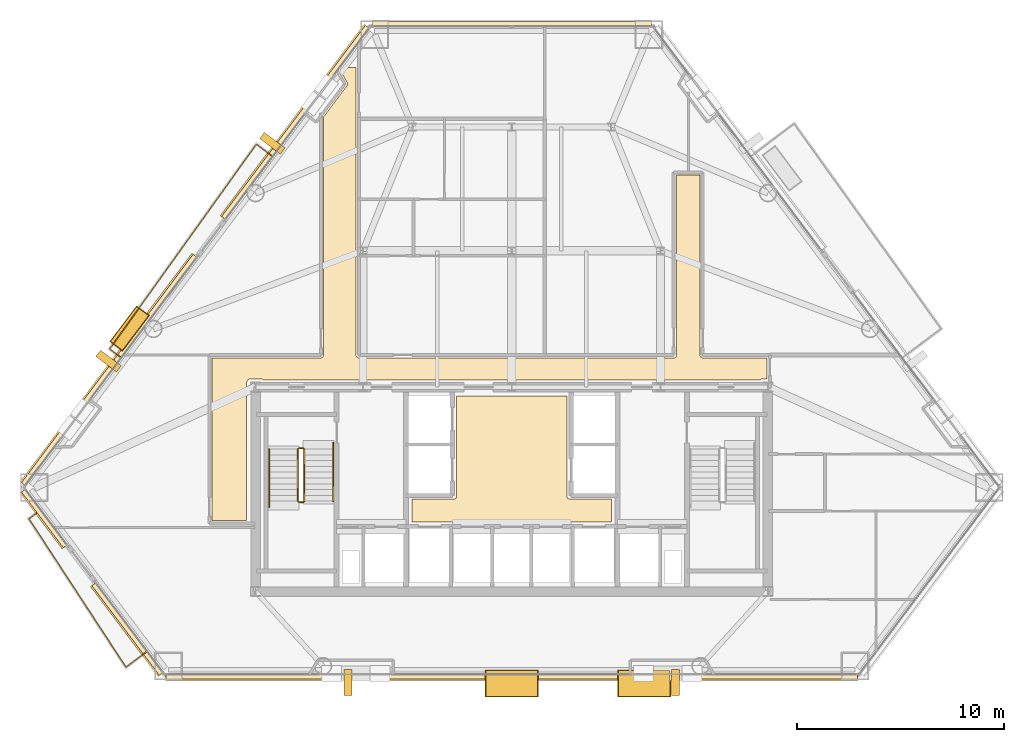
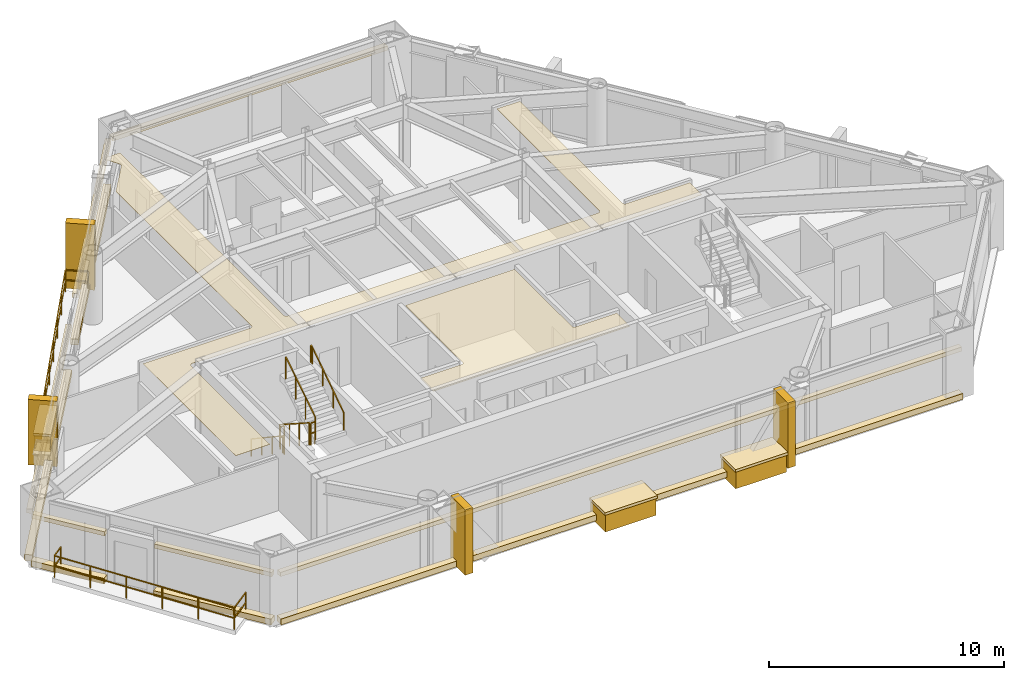
# One storey, part 9 of 10: 23 coverings, 8 railings.
"""IFC4 building model written with IfcOpenShell, lengths in metres."""

from ifc_helpers import new_model, si_unit, direction, frame, origin, origin_2d, place, context, subcontext, project, spatial, polyline, rectangle, outline, extrude, material, layer, layer_set, type_object, element, save


model = new_model("IFC4")

# Units and contexts
model_context = context("Model", 3, precision=1e-05, world=origin(), true_north=direction((0.0, 1.0)))
body_context = subcontext(model_context, "Body", "Model", "MODEL_VIEW")
ifc_project = project(units=[si_unit("LENGTHUNIT", "METRE"), si_unit("AREAUNIT", "SQUARE_METRE"), si_unit("VOLUMEUNIT", "CUBIC_METRE"), si_unit("PLANEANGLEUNIT", "RADIAN"), si_unit("MASSUNIT", "GRAM", prefix="KILO")], contexts=[model_context])

# Site, building, storey
site_placement = place(None, origin())
site = spatial("IfcSite", under=ifc_project, at=site_placement, CompositionType="ELEMENT")
building_placement = place(site_placement, origin())
building = spatial("IfcBuilding", under=site, at=building_placement, Name="Talgorran Terracotta Tower", CompositionType="ELEMENT")
storey_placement = place(building_placement, frame((0.0, 0.0, 82.800048828125)))
storey = spatial("IfcBuildingStorey", under=building, at=storey_placement, Name="L21", CompositionType="ELEMENT", Elevation=82.800048828125)

# Coverings
ifc_material_1 = material(Name="Kiln-Fired Terracotta Ochre Ceramic", Category="masonry")
ifc_layer_1 = layer(ifc_material_1, 0.179931640625, Name="COV_BAGUETTE_TERRACOTTA_SCREEN")
ifc_layer_set_1 = layer_set([ifc_layer_1], Name="Kiln-Fired Terracotta Ochre Ceramic")
covering_type_1 = type_object("IfcCoveringType", Name="COV_BAGUETTE_TERRACOTTA_SCREEN", PredefinedType="CLADDING", material=ifc_layer_set_1)
covering_1_placement = place(storey_placement, frame((-22.6201171875, -10.547607421875, 2.41015625), z_axis=(0.0, 0.0, 1.0), x_axis=(0.601062059743, -0.79920235256, 0.0)))
element("IfcCovering", 1, at=covering_1_placement, inside=storey, type_object=covering_type_1, Name="L21 Terracotta Baguette Solar Screen Assembly F10", PredefinedType="CLADDING", context=body_context, shape_type="SweptSolid", body=[
    extrude(rectangle(XDim=3.373291015625, YDim=0.260009765625, at=origin_2d()), origin(), (0.0, 0.0, 1.0), 0.219970703125),
])
covering_2_placement = place(storey_placement, frame((-18.591796875, -15.904052734375, 2.41015625), z_axis=(0.0, 0.0, 1.0), x_axis=(0.601062059743, -0.79920235256, 0.0)))
element("IfcCovering", 2, at=covering_2_placement, inside=storey, type_object=covering_type_1, Name="L21 Terracotta Baguette Solar Screen Assembly F11", PredefinedType="CLADDING", context=body_context, shape_type="SweptSolid", body=[
    extrude(rectangle(XDim=5.430908203125, YDim=0.260009765625, at=origin_2d()), origin(), (0.0, 0.0, 1.0), 0.219970703125),
])
covering_3_placement = place(storey_placement, frame((0.0, -18.2021484375, 2.41015625), z_axis=(0.0, 0.0, 1.0), x_axis=(1.0, 0.0, 0.0)))
element("IfcCovering", 3, at=covering_3_placement, inside=storey, type_object=covering_type_1, Name="L21 Terracotta Baguette Solar Screen Assembly F1", PredefinedType="CLADDING", context=body_context, shape_type="SweptSolid", body=[
    extrude(rectangle(XDim=33.487060546875, YDim=0.260009765625, at=origin_2d()), origin(), (0.0, 0.0, 1.0), 0.219970703125),
])
covering_4_placement = place(storey_placement, frame((0.0, 13.364990234375, 2.41015625), z_axis=(0.0, 0.0, 1.0), x_axis=(-1.0, 0.0, 0.0)))
element("IfcCovering", 4, at=covering_4_placement, inside=storey, type_object=covering_type_1, Name="L21 Terracotta Baguette Solar Screen Assembly F4", PredefinedType="CLADDING", context=body_context, shape_type="SweptSolid", body=[
    extrude(rectangle(XDim=13.533447265625, YDim=0.260009765625, at=origin_2d()), origin(), (0.0, 0.0, 1.0), 0.219970703125),
])
covering_5_placement = place(storey_placement, frame((-10.462158203125, 8.610595703125, 2.41015625), z_axis=(0.0, 0.0, 1.0), x_axis=(-0.601048110939, -0.79921284295, 0.0)))
element("IfcCovering", 5, at=covering_5_placement, inside=storey, type_object=covering_type_1, Name="L21 Terracotta Baguette Solar Screen Assembly F60", PredefinedType="CLADDING", context=body_context, shape_type="SweptSolid", body=[
    extrude(rectangle(XDim=11.577880859375, YDim=0.260009765625, at=origin_2d()), origin(), (0.0, 0.0, 1.0), 0.219970703125),
])
covering_6_placement = place(storey_placement, frame((-19.47900390625, -3.37890625, 2.41015625), z_axis=(0.0, 0.0, 1.0), x_axis=(-0.601048110939, -0.79921284295, 0.0)))
element("IfcCovering", 6, at=covering_6_placement, inside=storey, type_object=covering_type_1, Name="L21 Terracotta Baguette Solar Screen Assembly F61", PredefinedType="CLADDING", context=body_context, shape_type="SweptSolid", body=[
    extrude(rectangle(XDim=13.82568359375, YDim=0.260009765625, at=origin_2d()), origin(), (0.0, 0.0, 1.0), 0.219970703125),
])
ifc_material_2 = material(Name="Mineral Fibre Acoustic Tile")
ifc_layer_2 = layer(ifc_material_2, 0.02490234375, Name="COV_CEIL_ACOUSTIC")
ifc_layer_set_2 = layer_set([ifc_layer_2], Name="Mineral Fibre Acoustic Tile")
covering_type_2 = type_object("IfcCoveringType", Name="COV_CEIL_ACOUSTIC", PredefinedType="CEILING", material=ifc_layer_set_2)
covering_7_placement = place(storey_placement, frame((0.0, 0.0, 3.260009765625)))
element("IfcCovering", 7, at=covering_7_placement, inside=storey, type_object=covering_type_2, Name="CEIL-L21-2", PredefinedType="CEILING", context=body_context, shape_type="SweptSolid", body=[
    extrude(outline(polyline([(-12.788818359375, -3.878662109375), (-12.79296875, -3.882568359375), (-12.80078125, -3.89111328125), (-12.806396484375, -3.89794921875), (-12.813720703125, -3.907470703125), (-12.819580078125, -3.91748046875), (-12.82470703125, -3.92822265625), (-12.82861328125, -3.939453125), (-12.83154296875, -3.95068359375), (-12.833251953125, -3.96240234375), (-12.833984375, -3.974365234375), (-12.8349609375, -10.6650390625), (-14.514892578125, -10.6650390625), (-14.514892578125, -2.784912109375), (-9.25, -2.784912109375), (-9.23828125, -2.784423828125), (-9.226806640625, -2.78271484375), (-9.21533203125, -2.77978515625), (-9.20703125, -2.77734375), (-9.196044921875, -2.7734375), (-9.185302734375, -2.768310546875), (-9.17529296875, -2.762451171875), (-9.165771484375, -2.75537109375), (-9.156982421875, -2.74755859375), (-9.149169921875, -2.73876953125), (-9.1435546875, -2.73193359375), (-9.136474609375, -2.722412109375), (-9.13037109375, -2.71240234375), (-9.125244140625, -2.70166015625), (-9.121337890625, -2.690673828125), (-9.118408203125, -2.67919921875), (-9.11669921875, -2.66748046875), (-9.1162109375, -2.65576171875), (-9.114990234375, 8.879638671875), (-7.972412109375, 10.399658203125), (-7.965576171875, 10.409423828125), (-7.9599609375, 10.419921875), (-7.955322265625, 10.430908203125), (-7.951904296875, 10.442138671875), (-7.949462890625, 10.453857421875), (-7.9482421875, 10.46240234375), (-7.947021484375, 10.473876953125), (-7.947021484375, 10.4853515625), (-7.947998046875, 10.496826171875), (-7.9501953125, 10.50830078125), (-7.953369140625, 10.519287109375), (-7.957763671875, 10.530029296875), (-7.962890625, 10.540283203125), (-8.306884765625, 11.135498046875), (-8.20947265625, 11.264892578125), (-7.534912109375, 11.264892578125), (-7.534912109375, -2.64990234375), (-7.534423828125, -2.66162109375), (-7.53271484375, -2.67333984375), (-7.52978515625, -2.6845703125), (-7.52734375, -2.69287109375), (-7.5234375, -2.7041015625), (-7.518310546875, -2.714599609375), (-7.512451171875, -2.724853515625), (-7.50537109375, -2.734375), (-7.49755859375, -2.742919921875), (-7.48876953125, -2.7509765625), (-7.48193359375, -2.756591796875), (-7.472412109375, -2.763671875), (-7.46240234375, -2.769775390625), (-7.45166015625, -2.774658203125), (-7.440673828125, -2.77880859375), (-7.42919921875, -2.781494140625), (-7.41748046875, -2.783203125), (-7.40576171875, -2.783935546875), (7.85009765625, -2.784912109375), (7.86181640625, -2.784423828125), (7.873291015625, -2.78271484375), (7.884521484375, -2.77978515625), (7.892822265625, -2.77734375), (7.904052734375, -2.7734375), (7.914794921875, -2.768310546875), (7.9248046875, -2.762451171875), (7.934326171875, -2.75537109375), (7.943115234375, -2.74755859375), (7.950927734375, -2.73876953125), (7.95654296875, -2.73193359375), (7.963623046875, -2.722412109375), (7.9697265625, -2.71240234375), (7.974609375, -2.70166015625), (7.978759765625, -2.690673828125), (7.981689453125, -2.67919921875), (7.9833984375, -2.66748046875), (7.98388671875, -2.65576171875), (7.985107421875, 6.06494140625), (9.114990234375, 6.06494140625), (9.114990234375, -2.64990234375), (9.115478515625, -2.66162109375), (9.1171875, -2.67333984375), (9.1201171875, -2.6845703125), (9.12255859375, -2.69287109375), (9.12646484375, -2.7041015625), (9.131591796875, -2.714599609375), (9.1376953125, -2.724853515625), (9.14453125, -2.734375), (9.152587890625, -2.742919921875), (9.1611328125, -2.7509765625), (9.16796875, -2.756591796875), (9.177490234375, -2.763671875), (9.1875, -2.769775390625), (9.1982421875, -2.774658203125), (9.20947265625, -2.77880859375), (9.220703125, -2.781494140625), (9.232421875, -2.783203125), (9.244384765625, -2.783935546875), (12.364990234375, -2.784912109375), (12.364990234375, -3.80908203125), (12.1201171875, -3.80908203125), (12.108154296875, -3.8095703125), (12.0966796875, -3.811279296875), (12.085205078125, -3.814208984375), (12.07421875, -3.818115234375), (12.0634765625, -3.8232421875), (12.05322265625, -3.8291015625), (12.0439453125, -3.836181640625), (12.03515625, -3.843994140625), (12.034423828125, -3.844970703125), (7.432861328125, -3.844970703125), (6.968017578125, -3.843017578125), (6.967529296875, -3.843017578125), (0.232666015625, -3.844970703125), (-0.23193359375, -3.843017578125), (-0.232421875, -3.843017578125), (-6.96728515625, -3.844970703125), (-7.431884765625, -3.843017578125), (-7.4326171875, -3.843017578125), (-12.034423828125, -3.844970703125), (-12.03515625, -3.843994140625), (-12.0439453125, -3.836181640625), (-12.05322265625, -3.8291015625), (-12.0634765625, -3.8232421875), (-12.07421875, -3.818115234375), (-12.085205078125, -3.814208984375), (-12.0966796875, -3.811279296875), (-12.108154296875, -3.8095703125), (-12.1201171875, -3.80908203125), (-12.679931640625, -3.80908203125), (-12.69189453125, -3.8095703125), (-12.703369140625, -3.811279296875), (-12.71484375, -3.814208984375), (-12.725830078125, -3.818115234375), (-12.736572265625, -3.8232421875), (-12.74658203125, -3.8291015625), (-12.756103515625, -3.836181640625), (-12.764892578125, -3.843994140625), (-12.772705078125, -3.852783203125), (-12.77978515625, -3.8623046875), (-12.785888671875, -3.872314453125), (-12.788818359375, -3.878662109375)])), origin(), (0.0, 0.0, 1.0), 0.02001953125),
])
ifc_material_3 = material(Name="Flush Moisture-Resistant Plaster")
ifc_layer_3 = layer(ifc_material_3, 0.01806640625, Name="COV_CEIL_PLASTER")
ifc_layer_set_3 = layer_set([ifc_layer_3], Name="Flush Moisture-Resistant Plaster")
covering_type_3 = type_object("IfcCoveringType", Name="COV_CEIL_PLASTER", PredefinedType="CEILING", material=ifc_layer_set_3)
covering_8_placement = place(storey_placement, frame((0.0, 0.0, 3.260009765625)))
element("IfcCovering", 8, at=covering_8_placement, inside=storey, type_object=covering_type_3, Name="CEIL-L21-1", PredefinedType="CEILING", context=body_context, shape_type="SweptSolid", body=[
    extrude(outline(polyline([(-4.830078125, -9.6201171875), (-2.800048828125, -9.6201171875), (-2.7880859375, -9.619384765625), (-2.776611328125, -9.61767578125), (-2.76513671875, -9.61474609375), (-2.754150390625, -9.61083984375), (-2.743408203125, -9.605712890625), (-2.7333984375, -9.599853515625), (-2.723876953125, -9.5927734375), (-2.715087890625, -9.5849609375), (-2.707275390625, -9.576171875), (-2.7001953125, -9.566650390625), (-2.694091796875, -9.556640625), (-2.689208984375, -9.5458984375), (-2.685302734375, -9.534912109375), (-2.682373046875, -9.5234375), (-2.6806640625, -9.51171875), (-2.679931640625, -9.5), (-2.679931640625, -4.6201171875), (2.679931640625, -4.6201171875), (2.679931640625, -9.5), (2.6806640625, -9.51171875), (2.682373046875, -9.5234375), (2.685302734375, -9.534912109375), (2.689208984375, -9.5458984375), (2.694091796875, -9.556640625), (2.7001953125, -9.566650390625), (2.707275390625, -9.576171875), (2.715087890625, -9.5849609375), (2.723876953125, -9.5927734375), (2.7333984375, -9.599853515625), (2.743408203125, -9.605712890625), (2.754150390625, -9.61083984375), (2.76513671875, -9.61474609375), (2.776611328125, -9.61767578125), (2.7880859375, -9.619384765625), (2.800048828125, -9.6201171875), (4.830078125, -9.6201171875), (4.830078125, -10.72998046875), (-4.830078125, -10.72998046875), (-4.830078125, -9.6201171875)])), origin(), (0.0, 0.0, 1.0), 0.02001953125),
])
ifc_material_4 = material(Name="Honed Limestone and Terracotta Planter", Category="masonry")
ifc_layer_4 = layer(ifc_material_4, 0.1201171875, Name="COV_PLANTER_BOX")
ifc_layer_set_4 = layer_set([ifc_layer_4], Name="Honed Limestone and Terracotta Planter")
covering_type_4 = type_object("IfcCoveringType", Name="COV_PLANTER_BOX", PredefinedType="CLADDING", material=ifc_layer_set_4)
for number, where, z_axis, x_axis, name in (
    (9, (0.0, -18.542236328125, -0.179931640625), (0.0, 0.0, 1.0), (1.0, 0.0, 0.0), "L21 Staggered South Facade Planter Box 1"),
    (10, (6.411865234375, -18.542236328125, -0.179931640625), (0.0, 0.0, 1.0), (1.0, 0.0, 0.0), "L21 Staggered South Facade Planter Box 2"),
):
    element("IfcCovering", number, at=place(storey_placement, frame(where, z_axis=z_axis, x_axis=x_axis)), inside=storey, type_object=covering_type_4, Name=name, PredefinedType="CLADDING", context=body_context, shape_type="SweptSolid", body=[
        extrude(rectangle(XDim=2.5, YDim=1.25, at=origin_2d()), origin(), (0.0, 0.0, 1.0), 0.919921875),
    ])
covering_9_placement = place(storey_placement, frame((-18.505615234375, -1.361083984375, -0.02001953125), z_axis=(0.0, 0.0, 1.0), x_axis=(-0.601048110939, -0.79921284295, 0.0)))
element("IfcCovering", 11, at=covering_9_placement, inside=storey, type_object=covering_type_4, Name="L21 Staggered Balcony Planter Box BAL-NW", PredefinedType="CLADDING", context=body_context, shape_type="SweptSolid", body=[
    extrude(rectangle(XDim=2.10009765625, YDim=0.719970703125, at=origin_2d()), origin(), (0.0, 0.0, 1.0), 0.860107421875),
])
ifc_material_5 = material(Name="Kiln-Fired Terracotta Planter Rim", Category="masonry")
ifc_layer_5 = layer(ifc_material_5, 0.10009765625, Name="COV_PLANTER_RIM")
ifc_layer_set_5 = layer_set([ifc_layer_5], Name="Kiln-Fired Terracotta Planter Rim")
covering_type_5 = type_object("IfcCoveringType", Name="COV_PLANTER_RIM", PredefinedType="CLADDING", material=ifc_layer_set_5)
for number, where, z_axis, x_axis, name in (
    (12, (0.0, -18.542236328125, 0.7099609375), (0.0, 0.0, 1.0), (1.0, 0.0, 0.0), "L21 South Planter Terracotta Rim 1"),
    (13, (6.411865234375, -18.542236328125, 0.7099609375), (0.0, 0.0, 1.0), (1.0, 0.0, 0.0), "L21 South Planter Terracotta Rim 2"),
):
    element("IfcCovering", number, at=place(storey_placement, frame(where, z_axis=z_axis, x_axis=x_axis)), inside=storey, type_object=covering_type_5, Name=name, PredefinedType="CLADDING", context=body_context, shape_type="SweptSolid", body=[
        extrude(rectangle(XDim=2.580078125, YDim=1.320068359375, at=origin_2d()), origin(), (0.0, 0.0, 1.0), 0.139892578125),
    ])
covering_10_placement = place(storey_placement, frame((-18.505615234375, -1.361083984375, 0.7998046875), z_axis=(0.0, 0.0, 1.0), x_axis=(-0.601048110939, -0.79921284295, 0.0)))
element("IfcCovering", 14, at=covering_10_placement, inside=storey, type_object=covering_type_5, Name="L21 Balcony Planter Terracotta Rim BAL-NW", PredefinedType="CLADDING", context=body_context, shape_type="SweptSolid", body=[
    extrude(rectangle(XDim=2.179931640625, YDim=0.780029296875, at=origin_2d()), origin(), (0.0, 0.0, 1.0), 0.1201171875),
])
ifc_material_6 = material(Name="Honed Limestone Cladding", Category="masonry")
ifc_layer_6 = layer(ifc_material_6, 0.094970703125, Name="COV_PORTAL_LIME")
ifc_layer_set_6 = layer_set([ifc_layer_6], Name="Honed Limestone Cladding")
covering_type_6 = type_object("IfcCoveringType", Name="COV_PORTAL_LIME", PredefinedType="CLADDING", material=ifc_layer_set_6)
for number, where, z_axis, x_axis, name in (
    (15, (-7.930419921875, -18.502197265625, -0.050048828125), (0.0, 0.0, 1.0), (1.0, 0.0, 0.0), "L21 White Striped Portal Fin F1-1"),
    (16, (-11.591796875, 7.607666015625, -0.050048828125), (0.0, 0.0, 1.0), (-0.601048110939, -0.79921284295, 0.0), "L21 White Striped Portal Fin F5-1"),
):
    element("IfcCovering", number, at=place(storey_placement, frame(where, z_axis=z_axis, x_axis=x_axis)), inside=storey, type_object=covering_type_6, Name=name, PredefinedType="CLADDING", context=body_context, shape_type="SweptSolid", body=[
        extrude(rectangle(XDim=0.3798828125, YDim=1.25, at=origin_2d()), origin(), (0.0, 0.0, 1.0), 3.39990234375),
    ])
ifc_material_7 = material(Name="Kiln-Fired Terracotta Cladding", Category="masonry")
ifc_layer_7 = layer(ifc_material_7, 0.090087890625, Name="COV_PORTAL_TERRA")
ifc_layer_set_7 = layer_set([ifc_layer_7], Name="Kiln-Fired Terracotta Cladding")
covering_type_7 = type_object("IfcCoveringType", Name="COV_PORTAL_TERRA", PredefinedType="CLADDING", material=ifc_layer_set_7)
covering_11_placement = place(storey_placement, frame((-22.652099609375, -10.57177734375, -0.0400390625), z_axis=(0.0, 0.0, 1.0), x_axis=(0.601062059743, -0.79920235256, 0.0)))
element("IfcCovering", 17, at=covering_11_placement, inside=storey, type_object=covering_type_7, Name="L21 Striped Postmodern Portal Cladding Band F10", PredefinedType="CLADDING", context=body_context, shape_type="SweptSolid", body=[
    extrude(rectangle(XDim=3.393310546875, YDim=0.340087890625, at=origin_2d()), origin(), (0.0, 0.0, 1.0), 0.300048828125),
])
covering_12_placement = place(storey_placement, frame((-18.62353515625, -15.927978515625, -0.0400390625), z_axis=(0.0, 0.0, 1.0), x_axis=(0.601062059743, -0.79920235256, 0.0)))
element("IfcCovering", 18, at=covering_12_placement, inside=storey, type_object=covering_type_7, Name="L21 Striped Postmodern Portal Cladding Band F11", PredefinedType="CLADDING", context=body_context, shape_type="SweptSolid", body=[
    extrude(rectangle(XDim=5.450927734375, YDim=0.340087890625, at=origin_2d()), origin(), (0.0, 0.0, 1.0), 0.300048828125),
])
covering_13_placement = place(storey_placement, frame((0.0, -18.2421875, -0.0400390625), z_axis=(0.0, 0.0, 1.0), x_axis=(1.0, 0.0, 0.0)))
element("IfcCovering", 19, at=covering_13_placement, inside=storey, type_object=covering_type_7, Name="L21 Striped Postmodern Portal Cladding Band F1", PredefinedType="CLADDING", context=body_context, shape_type="SweptSolid", body=[
    extrude(rectangle(XDim=33.507080078125, YDim=0.340087890625, at=origin_2d()), origin(), (0.0, 0.0, 1.0), 0.300048828125),
])
covering_14_placement = place(storey_placement, frame((-10.494140625, 8.634765625, -0.0400390625), z_axis=(0.0, 0.0, 1.0), x_axis=(-0.601048110939, -0.79921284295, 0.0)))
element("IfcCovering", 20, at=covering_14_placement, inside=storey, type_object=covering_type_7, Name="L21 Striped Postmodern Portal Cladding Band F60", PredefinedType="CLADDING", context=body_context, shape_type="SweptSolid", body=[
    extrude(rectangle(XDim=11.597900390625, YDim=0.340087890625, at=origin_2d()), origin(), (0.0, 0.0, 1.0), 0.300048828125),
])
covering_15_placement = place(storey_placement, frame((-19.510986328125, -3.354736328125, -0.0400390625), z_axis=(0.0, 0.0, 1.0), x_axis=(-0.601048110939, -0.79921284295, 0.0)))
element("IfcCovering", 21, at=covering_15_placement, inside=storey, type_object=covering_type_7, Name="L21 Striped Postmodern Portal Cladding Band F61", PredefinedType="CLADDING", context=body_context, shape_type="SweptSolid", body=[
    extrude(rectangle(XDim=13.845703125, YDim=0.340087890625, at=origin_2d()), origin(), (0.0, 0.0, 1.0), 0.300048828125),
])
for number, where, z_axis, x_axis, name in (
    (22, (7.930419921875, -18.502197265625, -0.050048828125), (0.0, 0.0, 1.0), (1.0, 0.0, 0.0), "L21 Terracotta Striped Portal Fin F1-2"),
    (23, (-19.5224609375, -2.937744140625, -0.050048828125), (0.0, 0.0, 1.0), (-0.601048110939, -0.79921284295, 0.0), "L21 Terracotta Striped Portal Fin F5-2"),
):
    element("IfcCovering", number, at=place(storey_placement, frame(where, z_axis=z_axis, x_axis=x_axis)), inside=storey, type_object=covering_type_7, Name=name, PredefinedType="CLADDING", context=body_context, shape_type="SweptSolid", body=[
        extrude(rectangle(XDim=0.3798828125, YDim=1.25, at=origin_2d()), origin(), (0.0, 0.0, 1.0), 3.39990234375),
    ])

# Railings
ifc_material_8 = material(Name="Laminated Glass and Stainless Steel 316", Category="steel")
railing_type_1 = type_object("IfcRailingType", Name="RL_BALCONY_1150", PredefinedType="BALUSTRADE", material=ifc_material_8)
railing_1_placement = place(storey_placement, frame((-11.58935546875, 6.978759765625, 0.0)))
element("IfcRailing", 24, at=railing_1_placement, inside=storey, type_object=railing_type_1, Name="RL-L21-BAL-BAL-NW", PredefinedType="BALUSTRADE", context=body_context, shape_type="SweptSolid", body=[
    extrude(rectangle(XDim=0.048095703125, YDim=0.048095703125, at=origin_2d()), frame((0.0, 0.0, 1.1259765625), z_axis=(-0.799272801735, 0.600968375547, 0.0), x_axis=(-0.600968375547, -0.799272801735, 0.0)), (0.0, 0.0, 1.0), 0.9677734375),
    extrude(rectangle(XDim=0.048095703125, YDim=0.048095703125, at=origin_2d()), frame((0.0, 0.0, 0.597900390625), z_axis=(-0.799272801735, 0.600968375547, 0.0), x_axis=(-0.600968375547, -0.799272801735, 0.0)), (0.0, 0.0, 1.0), 0.9677734375),
    extrude(rectangle(XDim=0.048095703125, YDim=0.048095703125, at=origin_2d()), frame((-0.7734375, 0.58154296875, 1.1259765625), z_axis=(-0.582345449468, -0.812941435457, 0.0), x_axis=(0.812941435457, -0.582345449468, 0.0)), (0.0, 0.0, 1.0), 12.195556640625),
    extrude(rectangle(XDim=0.048095703125, YDim=0.048095703125, at=origin_2d()), frame((-0.7734375, 0.58154296875, 0.597900390625), z_axis=(-0.582345449468, -0.812941435457, 0.0), x_axis=(0.812941435457, -0.582345449468, 0.0)), (0.0, 0.0, 1.0), 12.195556640625),
    extrude(rectangle(XDim=0.048095703125, YDim=0.048095703125, at=origin_2d()), frame((-7.87548828125, -9.332763671875, 1.1259765625), z_axis=(0.799229343285, -0.601026169839, 0.0), x_axis=(0.601026169839, 0.799229343285, 0.0)), (0.0, 0.0, 1.0), 0.684814453125),
    extrude(rectangle(XDim=0.048095703125, YDim=0.048095703125, at=origin_2d()), frame((-7.87548828125, -9.332763671875, 0.597900390625), z_axis=(0.799229343285, -0.601026169839, 0.0), x_axis=(0.601026169839, 0.799229343285, 0.0)), (0.0, 0.0, 1.0), 0.684814453125),
    extrude(rectangle(XDim=0.0419921875, YDim=0.0419921875, at=origin_2d()), origin(), (0.0, 0.0, 1.0), 1.101806640625),
    extrude(rectangle(XDim=0.0419921875, YDim=0.0419921875, at=origin_2d()), frame((-0.7734375, 0.58154296875, 0.0)), (0.0, 0.0, 1.0), 1.101806640625),
    extrude(rectangle(XDim=0.0419921875, YDim=0.0419921875, at=origin_2d()), frame((-1.7880859375, -0.834716796875, 0.0)), (0.0, 0.0, 1.0), 1.101806640625),
    extrude(rectangle(XDim=0.0419921875, YDim=0.0419921875, at=origin_2d()), frame((-2.802490234375, -2.251220703125, 0.0)), (0.0, 0.0, 1.0), 1.101806640625),
    extrude(rectangle(XDim=0.0419921875, YDim=0.0419921875, at=origin_2d()), frame((-3.817138671875, -3.66748046875, 0.0)), (0.0, 0.0, 1.0), 1.101806640625),
    extrude(rectangle(XDim=0.0419921875, YDim=0.0419921875, at=origin_2d()), frame((-4.831787109375, -5.083740234375, 0.0)), (0.0, 0.0, 1.0), 1.101806640625),
    extrude(rectangle(XDim=0.0419921875, YDim=0.0419921875, at=origin_2d()), frame((-5.846435546875, -6.5, 0.0)), (0.0, 0.0, 1.0), 1.101806640625),
    extrude(rectangle(XDim=0.0419921875, YDim=0.0419921875, at=origin_2d()), frame((-6.86083984375, -7.91650390625, 0.0)), (0.0, 0.0, 1.0), 1.101806640625),
    extrude(rectangle(XDim=0.0419921875, YDim=0.0419921875, at=origin_2d()), frame((-7.87548828125, -9.332763671875, 0.0)), (0.0, 0.0, 1.0), 1.101806640625),
    extrude(rectangle(XDim=0.0419921875, YDim=0.0419921875, at=origin_2d()), frame((-7.328125, -9.744384765625, 0.0)), (0.0, 0.0, 1.0), 1.101806640625),
])
railing_2_placement = place(storey_placement, frame((-22.814453125, -10.156005859375, 0.0)))
element("IfcRailing", 25, at=railing_2_placement, inside=storey, type_object=railing_type_1, Name="RL-L21-BAL-BAL-SW", PredefinedType="BALUSTRADE", context=body_context, shape_type="SweptSolid", body=[
    extrude(rectangle(XDim=0.048095703125, YDim=0.048095703125, at=origin_2d()), frame((0.0, 0.0, 1.1259765625), z_axis=(-0.799284596382, -0.600952688643, 0.0), x_axis=(0.600952688643, -0.799284596382, 0.0)), (0.0, 0.0, 1.0), 0.69677734375),
    extrude(rectangle(XDim=0.048095703125, YDim=0.048095703125, at=origin_2d()), frame((0.0, 0.0, 0.597900390625), z_axis=(-0.799284596382, -0.600952688643, 0.0), x_axis=(0.600952688643, -0.799284596382, 0.0)), (0.0, 0.0, 1.0), 0.69677734375),
    extrude(rectangle(XDim=0.048095703125, YDim=0.048095703125, at=origin_2d()), frame((-0.556884765625, -0.418701171875, 1.1259765625), z_axis=(0.547059202382, -0.837093918918, 0.0), x_axis=(0.837093918918, 0.547059202382, 0.0)), (0.0, 0.0, 1.0), 8.579345703125),
    extrude(rectangle(XDim=0.048095703125, YDim=0.048095703125, at=origin_2d()), frame((-0.556884765625, -0.418701171875, 0.597900390625), z_axis=(0.547059202382, -0.837093918918, 0.0), x_axis=(0.837093918918, 0.547059202382, 0.0)), (0.0, 0.0, 1.0), 8.579345703125),
    extrude(rectangle(XDim=0.048095703125, YDim=0.048095703125, at=origin_2d()), frame((4.136474609375, -7.600341796875, 1.1259765625), z_axis=(0.799256612204, 0.600989906611, 0.0), x_axis=(-0.600989906611, 0.799256612204, 0.0)), (0.0, 0.0, 1.0), 1.26220703125),
    extrude(rectangle(XDim=0.048095703125, YDim=0.048095703125, at=origin_2d()), frame((4.136474609375, -7.600341796875, 0.597900390625), z_axis=(0.799256612204, 0.600989906611, 0.0), x_axis=(-0.600989906611, 0.799256612204, 0.0)), (0.0, 0.0, 1.0), 1.26220703125),
    extrude(rectangle(XDim=0.0419921875, YDim=0.0419921875, at=origin_2d()), origin(), (0.0, 0.0, 1.0), 1.101806640625),
    extrude(rectangle(XDim=0.0419921875, YDim=0.0419921875, at=origin_2d()), frame((-0.556884765625, -0.418701171875, 0.0)), (0.0, 0.0, 1.0), 1.101806640625),
    extrude(rectangle(XDim=0.0419921875, YDim=0.0419921875, at=origin_2d()), frame((0.3818359375, -1.85498046875, 0.0)), (0.0, 0.0, 1.0), 1.101806640625),
    extrude(rectangle(XDim=0.0419921875, YDim=0.0419921875, at=origin_2d()), frame((1.320556640625, -3.291259765625, 0.0)), (0.0, 0.0, 1.0), 1.101806640625),
    extrude(rectangle(XDim=0.0419921875, YDim=0.0419921875, at=origin_2d()), frame((2.259033203125, -4.727783203125, 0.0)), (0.0, 0.0, 1.0), 1.101806640625),
    extrude(rectangle(XDim=0.0419921875, YDim=0.0419921875, at=origin_2d()), frame((3.19775390625, -6.1640625, 0.0)), (0.0, 0.0, 1.0), 1.101806640625),
    extrude(rectangle(XDim=0.0419921875, YDim=0.0419921875, at=origin_2d()), frame((4.136474609375, -7.600341796875, 0.0)), (0.0, 0.0, 1.0), 1.101806640625),
    extrude(rectangle(XDim=0.0419921875, YDim=0.0419921875, at=origin_2d()), frame((5.145263671875, -6.841796875, 0.0)), (0.0, 0.0, 1.0), 1.101806640625),
])
ifc_material_9 = material(Name="Steel S355 (300PLUS)", Category="steel")
railing_type_2 = type_object("IfcRailingType", Name="RL_HANDRAIL_920", PredefinedType="HANDRAIL", material=ifc_material_9)
railing_3_placement = place(storey_placement, frame((-11.75, -7.199951171875, 0.179931640625)))
element("IfcRailing", 26, at=railing_3_placement, inside=storey, type_object=railing_type_2, Name="L21 ST-01 stair handrail 1", PredefinedType="HANDRAIL", context=body_context, shape_type="SweptSolid", body=[
    extrude(rectangle(XDim=0.048095703125, YDim=0.048095703125, at=origin_2d()), frame((0.0, 0.0, 0.89599609375), z_axis=(0.0, -0.832038719335, 0.554717558338), x_axis=(1.0, 0.0, 0.0)), (0.0, 0.0, 1.0), 3.244873046875),
    extrude(rectangle(XDim=0.048095703125, YDim=0.048095703125, at=origin_2d()), frame((0.0, -2.699951171875, 2.69580078125), z_axis=(0.0, -1.0, 0.0), x_axis=(1.0, 0.0, 0.0)), (0.0, 0.0, 1.0), 0.1201171875),
    extrude(rectangle(XDim=0.0419921875, YDim=0.0419921875, at=origin_2d()), origin(), (0.0, 0.0, 1.0), 0.871826171875),
    extrude(rectangle(XDim=0.0419921875, YDim=0.0419921875, at=origin_2d()), frame((0.0, -0.89990234375, 0.60009765625)), (0.0, 0.0, 1.0), 0.871826171875),
    extrude(rectangle(XDim=0.0419921875, YDim=0.0419921875, at=origin_2d()), frame((0.0, -1.800048828125, 1.199951171875)), (0.0, 0.0, 1.0), 0.871826171875),
    extrude(rectangle(XDim=0.0419921875, YDim=0.0419921875, at=origin_2d()), frame((0.0, -2.699951171875, 1.800048828125)), (0.0, 0.0, 1.0), 0.871826171875),
    extrude(rectangle(XDim=0.0419921875, YDim=0.0419921875, at=origin_2d()), frame((0.0, -2.820068359375, 1.800048828125)), (0.0, 0.0, 1.0), 0.871826171875),
])
railing_4_placement = place(storey_placement, frame((-8.64990234375, -9.719970703125, 1.97998046875)))
element("IfcRailing", 27, at=railing_4_placement, inside=storey, type_object=railing_type_2, Name="L21 ST-01 stair handrail 2", PredefinedType="HANDRAIL", context=body_context, shape_type="SweptSolid", body=[
    extrude(rectangle(XDim=0.048095703125, YDim=0.048095703125, at=origin_2d()), frame((0.0, 0.0, 0.89599609375), z_axis=(0.0, 0.832038719335, 0.554717558338), x_axis=(-1.0, 0.0, 0.0)), (0.0, 0.0, 1.0), 3.244873046875),
    extrude(rectangle(XDim=0.048095703125, YDim=0.048095703125, at=origin_2d()), frame((0.0, 2.699951171875, 2.69580078125), z_axis=(0.0, 1.0, 0.0), x_axis=(-1.0, 0.0, 0.0)), (0.0, 0.0, 1.0), 0.1201171875),
    extrude(rectangle(XDim=0.0419921875, YDim=0.0419921875, at=origin_2d()), origin(), (0.0, 0.0, 1.0), 0.871826171875),
    extrude(rectangle(XDim=0.0419921875, YDim=0.0419921875, at=origin_2d()), frame((0.0, 0.89990234375, 0.60009765625)), (0.0, 0.0, 1.0), 0.871826171875),
    extrude(rectangle(XDim=0.0419921875, YDim=0.0419921875, at=origin_2d()), frame((0.0, 1.800048828125, 1.199951171875)), (0.0, 0.0, 1.0), 0.871826171875),
    extrude(rectangle(XDim=0.0419921875, YDim=0.0419921875, at=origin_2d()), frame((0.0, 2.699951171875, 1.800048828125)), (0.0, 0.0, 1.0), 0.871826171875),
    extrude(rectangle(XDim=0.0419921875, YDim=0.0419921875, at=origin_2d()), frame((0.0, 2.820068359375, 1.800048828125)), (0.0, 0.0, 1.0), 0.871826171875),
])
railing_type_3 = type_object("IfcRailingType", Name="RL_STAIR_GUARD", PredefinedType="GUARDRAIL", material=ifc_material_9)
railing_5_placement = place(storey_placement, frame((-10.35009765625, -7.199951171875, 0.179931640625)))
element("IfcRailing", 28, at=railing_5_placement, inside=storey, type_object=railing_type_3, Name="L21 ST-01 stair guard 1", PredefinedType="GUARDRAIL", context=body_context, shape_type="SweptSolid", body=[
    extrude(rectangle(XDim=0.048095703125, YDim=0.048095703125, at=origin_2d()), frame((0.0, 0.0, 1.15576171875), z_axis=(0.0, -0.841162588446, 0.540782303519), x_axis=(1.0, 0.0, 0.0)), (0.0, 0.0, 1.0), 2.995849609375),
    extrude(rectangle(XDim=0.0419921875, YDim=0.0419921875, at=origin_2d()), origin(), (0.0, 0.0, 1.0), 1.1318359375),
    extrude(rectangle(XDim=0.0419921875, YDim=0.0419921875, at=origin_2d()), frame((0.0, -0.840087890625, 0.5400390625)), (0.0, 0.0, 1.0), 1.1318359375),
    extrude(rectangle(XDim=0.0419921875, YDim=0.0419921875, at=origin_2d()), frame((0.0, -1.679931640625, 1.080078125)), (0.0, 0.0, 1.0), 1.1318359375),
    extrude(rectangle(XDim=0.0419921875, YDim=0.0419921875, at=origin_2d()), frame((0.0, -2.52001953125, 1.6201171875)), (0.0, 0.0, 1.0), 1.1318359375),
])
railing_6_placement = place(storey_placement, frame((-10.300048828125, -9.77001953125, 1.800048828125)))
element("IfcRailing", 29, at=railing_6_placement, inside=storey, type_object=railing_type_3, Name="L21 ST-01 stair guard 2", PredefinedType="GUARDRAIL", context=body_context, shape_type="SweptSolid", body=[
    extrude(rectangle(XDim=0.048095703125, YDim=0.048095703125, at=origin_2d()), frame((0.0, 0.0, 1.15576171875), z_axis=(1.0, 0.0, 0.0), x_axis=(0.0, 1.0, 0.0)), (0.0, 0.0, 1.0), 0.199951171875),
    extrude(rectangle(XDim=0.048095703125, YDim=0.048095703125, at=origin_2d()), frame((0.0, 0.0, 0.613525390625), z_axis=(1.0, 0.0, 0.0), x_axis=(0.0, 1.0, 0.0)), (0.0, 0.0, 1.0), 0.199951171875),
    extrude(rectangle(XDim=0.0419921875, YDim=0.0419921875, at=origin_2d()), origin(), (0.0, 0.0, 1.0), 1.1318359375),
    extrude(rectangle(XDim=0.0419921875, YDim=0.0419921875, at=origin_2d()), frame((0.199951171875, 0.0, 0.0)), (0.0, 0.0, 1.0), 1.1318359375),
])
railing_7_placement = place(storey_placement, frame((-10.050048828125, -9.719970703125, 1.97998046875)))
element("IfcRailing", 30, at=railing_7_placement, inside=storey, type_object=railing_type_3, Name="L21 ST-01 stair guard 3", PredefinedType="GUARDRAIL", context=body_context, shape_type="SweptSolid", body=[
    extrude(rectangle(XDim=0.048095703125, YDim=0.048095703125, at=origin_2d()), frame((0.0, 0.0, 1.15576171875), z_axis=(0.0, 0.841199657755, 0.540724639528), x_axis=(-1.0, 0.0, 0.0)), (0.0, 0.0, 1.0), 2.995849609375),
    extrude(rectangle(XDim=0.0419921875, YDim=0.0419921875, at=origin_2d()), origin(), (0.0, 0.0, 1.0), 1.1318359375),
    extrude(rectangle(XDim=0.0419921875, YDim=0.0419921875, at=origin_2d()), frame((0.0, 0.840087890625, 0.5400390625)), (0.0, 0.0, 1.0), 1.1318359375),
    extrude(rectangle(XDim=0.0419921875, YDim=0.0419921875, at=origin_2d()), frame((0.0, 1.679931640625, 1.079833984375)), (0.0, 0.0, 1.0), 1.1318359375),
    extrude(rectangle(XDim=0.0419921875, YDim=0.0419921875, at=origin_2d()), frame((0.0, 2.52001953125, 1.619873046875)), (0.0, 0.0, 1.0), 1.1318359375),
])
railing_8_placement = place(storey_placement, frame((-10.300048828125, -7.14990234375, 0.0)))
element("IfcRailing", 31, at=railing_8_placement, inside=storey, type_object=railing_type_3, Name="L21 ST-01 stair guard 4", PredefinedType="GUARDRAIL", context=body_context, shape_type="SweptSolid", body=[
    extrude(rectangle(XDim=0.048095703125, YDim=0.048095703125, at=origin_2d()), frame((0.0, 0.0, 1.15576171875), z_axis=(1.0, 0.0, 0.0), x_axis=(0.0, 1.0, 0.0)), (0.0, 0.0, 1.0), 0.199951171875),
    extrude(rectangle(XDim=0.048095703125, YDim=0.048095703125, at=origin_2d()), frame((0.0, 0.0, 0.613525390625), z_axis=(1.0, 0.0, 0.0), x_axis=(0.0, 1.0, 0.0)), (0.0, 0.0, 1.0), 0.199951171875),
    extrude(rectangle(XDim=0.0419921875, YDim=0.0419921875, at=origin_2d()), origin(), (0.0, 0.0, 1.0), 1.1318359375),
    extrude(rectangle(XDim=0.0419921875, YDim=0.0419921875, at=origin_2d()), frame((0.199951171875, 0.0, 0.0)), (0.0, 0.0, 1.0), 1.1318359375),
])

save(model, "model.ifc")
